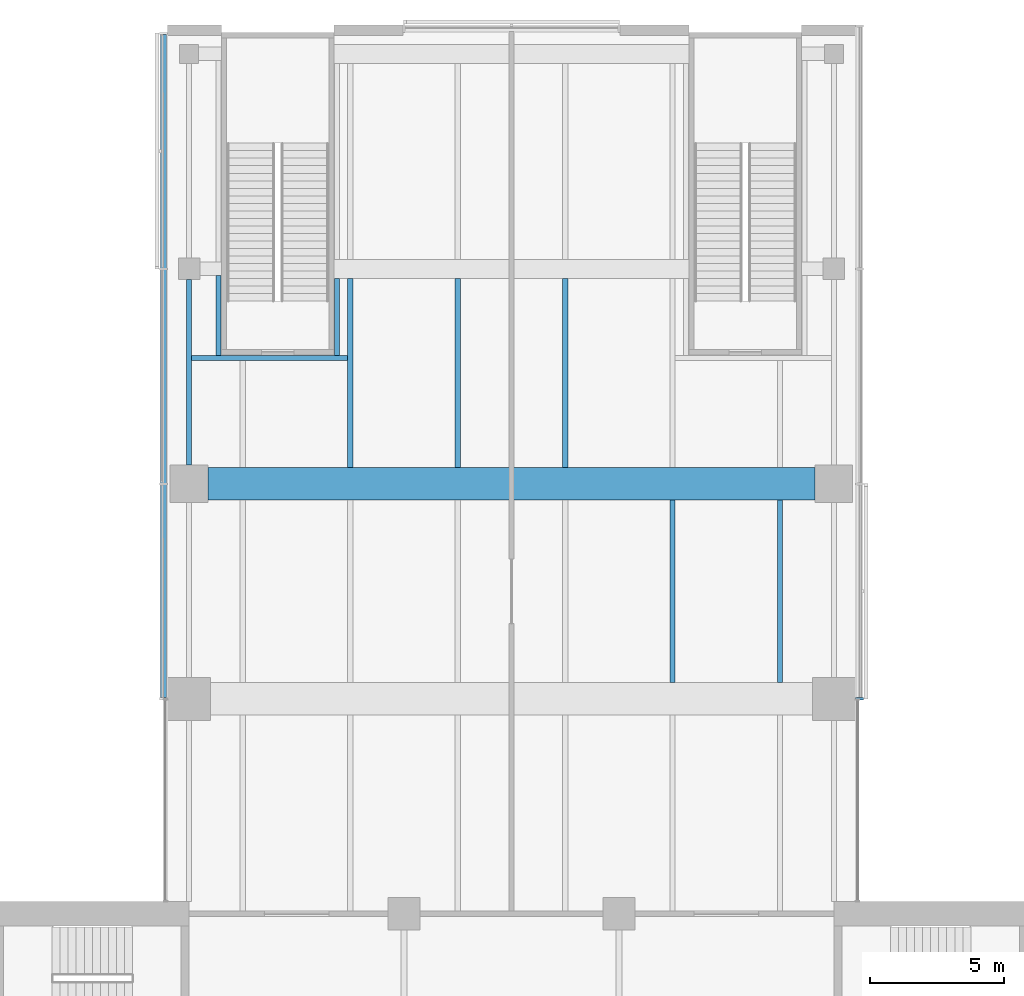
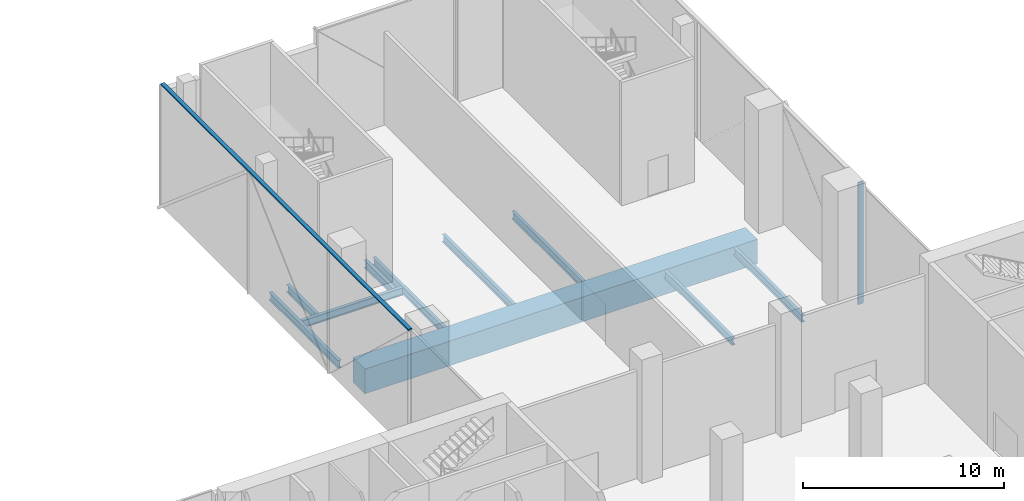
# One storey, part 9 of 25: 10 beams, 2 members, 2 elements without a shape of their own.
"""IFC4 building model written with IfcOpenShell, lengths in metres."""

from ifc_helpers import new_model, si_unit, direction, frame, origin, origin_2d, place, context, subcontext, project, spatial, rectangle, i_section, extrude, material, material_profile, profile_set, type_object, element, aggregate, save


model = new_model("IFC4")

# Units and contexts
model_context = context("Model", 3, precision=1e-05, world=origin(), true_north=direction((0.0, 1.0)))
body_context = subcontext(model_context, "Body", "Model", "MODEL_VIEW")
ifc_project = project(units=[si_unit("LENGTHUNIT", "METRE"), si_unit("AREAUNIT", "SQUARE_METRE"), si_unit("VOLUMEUNIT", "CUBIC_METRE"), si_unit("PLANEANGLEUNIT", "RADIAN"), si_unit("MASSUNIT", "GRAM", prefix="KILO")], contexts=[model_context])

# Site, building, storey
site_placement = place(None, origin())
site = spatial("IfcSite", under=ifc_project, at=site_placement, CompositionType="ELEMENT")
building_placement = place(site_placement, origin())
building = spatial("IfcBuilding", under=site, at=building_placement, Name="Crosswind Convention Tower", CompositionType="ELEMENT")
storey_placement = place(building_placement, frame((0.0, 0.0, 17.5)))
storey = spatial("IfcBuildingStorey", under=building, at=storey_placement, Name="L02", CompositionType="ELEMENT", Elevation=17.5)

# Beam
ifc_material_1 = material(Name="Steel S355", Category="steel")
ifc_material_profile_1 = material_profile(ifc_material_1, i_section(OverallWidth=0.19287109375, OverallDepth=0.467529296875, WebThickness=0.011474609375, FlangeThickness=0.01953125, FilletRadius=0.01025390625, at=origin_2d()), Name="UB 457x191x98")
ifc_profile_set_1 = profile_set([ifc_material_profile_1], Name="Steel S355")
beam_type_1 = type_object("IfcBeamType", Name="Edge beam UB 457x191x98", PredefinedType="SPANDREL", material=ifc_profile_set_1)
beam_1_placement = place(storey_placement, frame((113.0, 128.699951171875, -0.6337890625), z_axis=(0.0, 1.0, 0.0), x_axis=(-1.0, 0.0, 0.0)))
element("IfcBeam", 1, at=beam_1_placement, inside=storey, type_object=beam_type_1, Name="B20 L02 edge beam 11", PredefinedType="SPANDREL", context=body_context, shape_type="SweptSolid", body=[
    extrude(i_section(OverallWidth=0.19287109375, OverallDepth=0.467529296875, WebThickness=0.011474609375, FlangeThickness=0.01953125, FilletRadius=0.01025390625, at=origin_2d()), origin(), (0.0, 0.0, 1.0), 6.900146484375),
])

# Curtain wall, member
ifc_material_2 = material(Name="Aluminium unitised curtain wall", Category="aluminium")
curtain_wall_type = type_object("IfcCurtainWallType", Name="PODIUM UNITISED WALL 300", PredefinedType="USERDEFINED", material=ifc_material_2)
curtain_wall_1_placement = place(storey_placement, origin())
curtain_wall_1 = element("IfcCurtainWall", 2, at=curtain_wall_1_placement, inside=storey, type_object=curtain_wall_type, Name="CW1 L02 N-E 1", ObjectType="UNITISED", PredefinedType="USERDEFINED")
ifc_material_3 = material(Name="Aluminium mullion", Category="aluminium")
ifc_material_profile_2 = material_profile(ifc_material_3, rectangle(XDim=0.300048828125, YDim=0.080078125, at=origin_2d()), Name="AL 300X80")
ifc_profile_set_2 = profile_set([ifc_material_profile_2], Name="Aluminium mullion")
member_type_1 = type_object("IfcMemberType", Name="MULLION 80X300", PredefinedType="MULLION", material=ifc_profile_set_2)
member_1_placement = place(storey_placement, frame((137.949951171875, 120.0, -0.39990234375), z_axis=(0.0, 0.0, 1.0), x_axis=(1.0, 0.0, 0.0)))
member_1 = element("IfcMember", 3, at=member_1_placement, type_object=member_type_1, Name="CW1 mullion 1", PredefinedType="MULLION", context=body_context, shape_type="SweptSolid", body=[
    extrude(rectangle(XDim=0.300048828125, YDim=0.080078125, at=origin_2d()), origin(), (0.0, 0.0, 1.0), 7.419921875),
])
aggregate(curtain_wall_1, [member_1])

# Beams
ifc_material_4 = material(Name="Concrete C70/85", Category="concrete")
ifc_material_profile_3 = material_profile(ifc_material_4, rectangle(XDim=1.199951171875, YDim=1.5, at=origin_2d()), Name="RC 1200X1500")
ifc_profile_set_3 = profile_set([ifc_material_profile_3], Name="Concrete C70/85")
beam_type_2 = type_object("IfcBeamType", Name="Prestressed concrete girder RC 1200X1500", PredefinedType="BEAM", material=ifc_profile_set_3)
beam_2_placement = place(storey_placement, frame((113.699951171875, 128.0, -1.14990234375), z_axis=(1.0, 0.0, 0.0), x_axis=(0.0, 1.0, 0.0)))
element("IfcBeam", 4, at=beam_2_placement, inside=storey, type_object=beam_type_2, Name="B39 L02 prestressed concrete girder 2", PredefinedType="BEAM", context=body_context, shape_type="SweptSolid", body=[
    extrude(rectangle(XDim=1.199951171875, YDim=1.5, at=origin_2d()), origin(), (0.0, 0.0, 1.0), 22.60009765625),
])
ifc_material_profile_4 = material_profile(ifc_material_1, i_section(OverallWidth=0.19140625, OverallDepth=0.460205078125, WebThickness=0.010009765625, FlangeThickness=0.01611328125, FilletRadius=0.01025390625, at=origin_2d()), Name="UB 457x191x82")
ifc_profile_set_4 = profile_set([ifc_material_profile_4], Name="Steel S355")
beam_type_3 = type_object("IfcBeamType", Name="Secondary beam UB 457x191x82", PredefinedType="JOIST", material=ifc_profile_set_4)
for number, where, z_axis, x_axis, name in (
    (5, (119.0, 128.60009765625, -0.630126953125), (0.0, 1.0, 0.0), (-1.0, 0.0, 0.0), "B13 L02 secondary beam 26"),
    (6, (123.0, 128.60009765625, -0.630126953125), (0.0, 1.0, 0.0), (-1.0, 0.0, 0.0), "B13 L02 secondary beam 37"),
    (7, (127.0, 128.60009765625, -0.630126953125), (0.0, 1.0, 0.0), (-1.0, 0.0, 0.0), "B13 L02 secondary beam 45"),
):
    element("IfcBeam", number, at=place(storey_placement, frame(where, z_axis=z_axis, x_axis=x_axis)), inside=storey, type_object=beam_type_3, Name=name, PredefinedType="JOIST", context=body_context, shape_type="SweptSolid", body=[
        extrude(i_section(OverallWidth=0.19140625, OverallDepth=0.460205078125, WebThickness=0.010009765625, FlangeThickness=0.01611328125, FilletRadius=0.01025390625, at=origin_2d()), origin(), (0.0, 0.0, 1.0), 7.0498046875),
    ])
for number, where, z_axis, x_axis, name in (
    (8, (131.0, 120.60009765625, -0.630126953125), (0.0, 1.0, 0.0), (-1.0, 0.0, 0.0), "B13 L02 secondary beam 55"),
    (9, (135.0, 120.60009765625, -0.630126953125), (0.0, 1.0, 0.0), (-1.0, 0.0, 0.0), "B13 L02 secondary beam 62"),
):
    element("IfcBeam", number, at=place(storey_placement, frame(where, z_axis=z_axis, x_axis=x_axis)), inside=storey, type_object=beam_type_3, Name=name, PredefinedType="JOIST", context=body_context, shape_type="SweptSolid", body=[
        extrude(i_section(OverallWidth=0.19140625, OverallDepth=0.460205078125, WebThickness=0.010009765625, FlangeThickness=0.01611328125, FilletRadius=0.01025390625, at=origin_2d()), origin(), (0.0, 0.0, 1.0), 6.7998046875),
    ])

# Curtain wall, member
curtain_wall_2_placement = place(storey_placement, origin())
curtain_wall_2 = element("IfcCurtainWall", 10, at=curtain_wall_2_placement, inside=storey, type_object=curtain_wall_type, Name="CW1 L02 N-W 1", ObjectType="UNITISED", PredefinedType="USERDEFINED")
ifc_material_5 = material(Name="Aluminium transom", Category="aluminium")
ifc_material_profile_5 = material_profile(ifc_material_5, rectangle(XDim=0.219970703125, YDim=0.080078125, at=origin_2d()), Name="AL 220X80")
ifc_profile_set_5 = profile_set([ifc_material_profile_5], Name="Aluminium transom")
member_type_2 = type_object("IfcMemberType", Name="TRANSOM 80X220", PredefinedType="USERDEFINED", material=ifc_profile_set_5)
member_2_placement = place(storey_placement, frame((112.050048828125, 144.719970703125, 7.06005859375), z_axis=(0.0, -1.0, 0.0), x_axis=(1.0, 0.0, 0.0)))
member_2 = element("IfcMember", 11, at=member_2_placement, type_object=member_type_2, Name="CW1 transom", ObjectType="TRANSOM", PredefinedType="USERDEFINED", context=body_context, shape_type="SweptSolid", body=[
    extrude(rectangle(XDim=0.219970703125, YDim=0.080078125, at=origin_2d()), origin(), (0.0, 0.0, 1.0), 24.679931640625),
])
aggregate(curtain_wall_2, [member_2])

# Beams
ifc_material_profile_6 = material_profile(ifc_material_1, i_section(OverallWidth=0.19189453125, OverallDepth=0.463623046875, WebThickness=0.010498046875, FlangeThickness=0.017578125, FilletRadius=0.01025390625, at=origin_2d()), Name="UB 457x191x90")
ifc_profile_set_6 = profile_set([ifc_material_profile_6], Name="Steel S355")
beam_type_4 = type_object("IfcBeamType", Name="Trimmer beam UB 457x191x90", PredefinedType="BEAM", material=ifc_profile_set_6)
beam_3_placement = place(storey_placement, frame((113.096435546875, 132.68994140625, -0.6318359375), z_axis=(1.0, 0.0, 0.0), x_axis=(0.0, 1.0, 0.0)))
element("IfcBeam", 12, at=beam_3_placement, inside=storey, type_object=beam_type_4, Name="B33 L02 trimmer beam 12", PredefinedType="BEAM", context=body_context, shape_type="SweptSolid", body=[
    extrude(i_section(OverallWidth=0.19189453125, OverallDepth=0.463623046875, WebThickness=0.010498046875, FlangeThickness=0.017578125, FilletRadius=0.01025390625, at=origin_2d()), origin(), (0.0, 0.0, 1.0), 5.807861328125),
])
beam_4_placement = place(storey_placement, frame((114.090087890625, 132.785888671875, -0.6318359375), z_axis=(0.0, 1.0, 0.0), x_axis=(-1.0, 0.0, 0.0)))
element("IfcBeam", 13, at=beam_4_placement, inside=storey, type_object=beam_type_4, Name="B33 L02 trimmer beam 15", PredefinedType="BEAM", context=body_context, shape_type="SweptSolid", body=[
    extrude(i_section(OverallWidth=0.19189453125, OverallDepth=0.463623046875, WebThickness=0.010498046875, FlangeThickness=0.017578125, FilletRadius=0.01025390625, at=origin_2d()), origin(), (0.0, 0.0, 1.0), 2.964111328125),
])
beam_5_placement = place(storey_placement, frame((118.510009765625, 132.785888671875, -0.6318359375), z_axis=(0.0, 1.0, 0.0), x_axis=(-1.0, 0.0, 0.0)))
element("IfcBeam", 14, at=beam_5_placement, inside=storey, type_object=beam_type_4, Name="B33 L02 trimmer beam 19", PredefinedType="BEAM", context=body_context, shape_type="SweptSolid", body=[
    extrude(i_section(OverallWidth=0.19189453125, OverallDepth=0.463623046875, WebThickness=0.010498046875, FlangeThickness=0.017578125, FilletRadius=0.01025390625, at=origin_2d()), origin(), (0.0, 0.0, 1.0), 2.864013671875),
])

save(model, "model.ifc")
